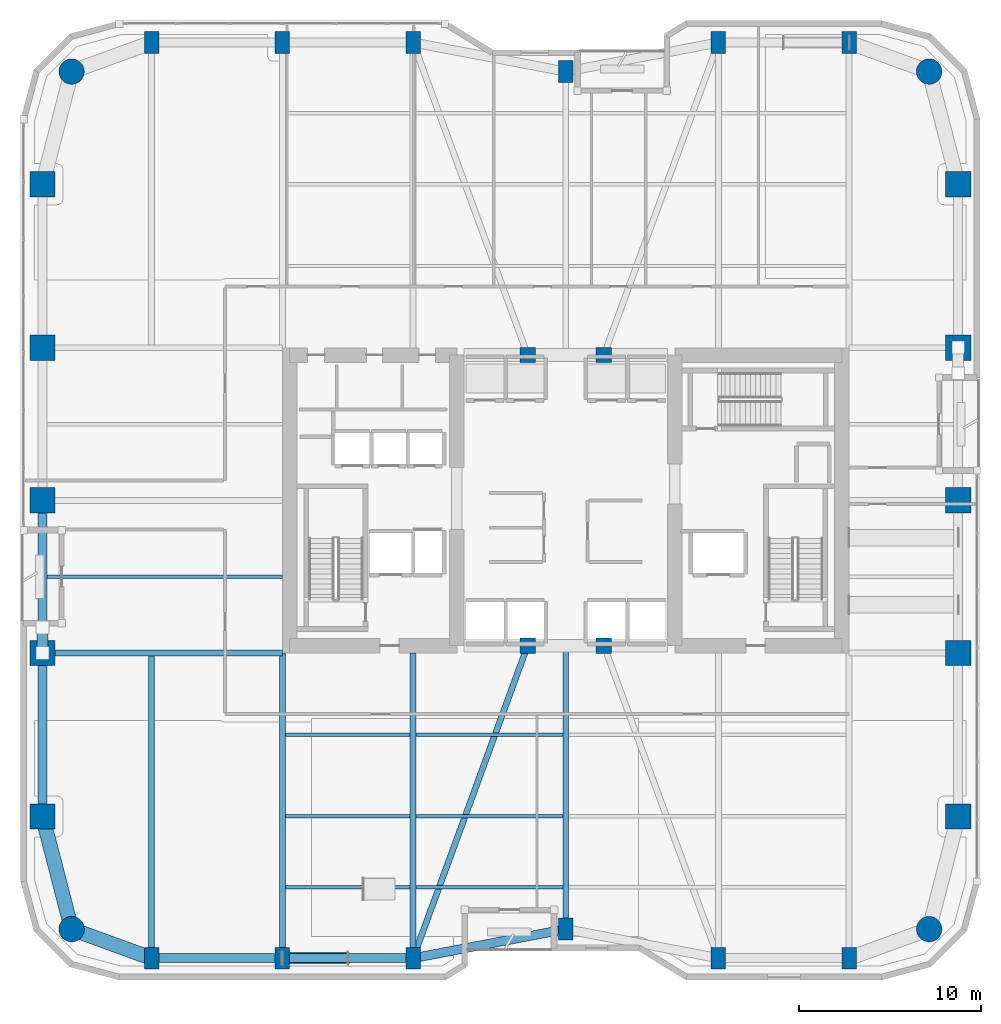
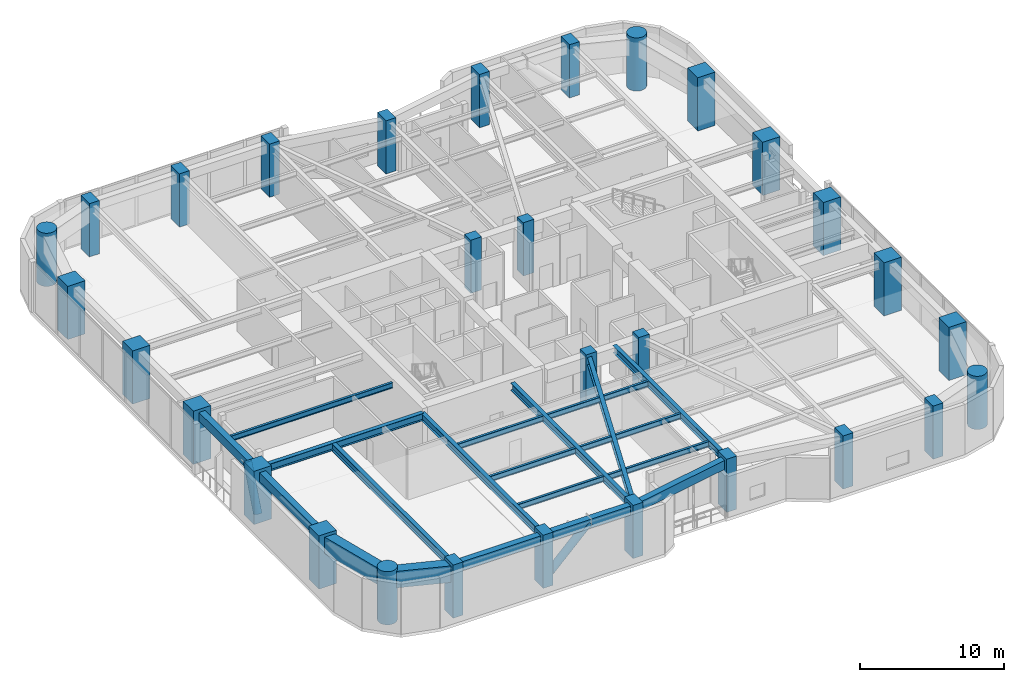
# One storey, part 1 of 23: 30 columns, 20 beams, 2 members.
"""IFC4 building model written with IfcOpenShell, lengths in metres."""

from ifc_helpers import new_model, si_unit, direction, frame, origin, origin_2d, place, context, subcontext, project, spatial, rectangle, circle, hollow_circle, i_section, extrude, material, material_profile, profile_set, type_object, element, save


model = new_model("IFC4")

# Units and contexts
model_context = context("Model", 3, precision=1e-05, world=origin(), true_north=direction((0.0, 1.0)))
body_context = subcontext(model_context, "Body", "Model", "MODEL_VIEW")
ifc_project = project(units=[si_unit("LENGTHUNIT", "METRE"), si_unit("AREAUNIT", "SQUARE_METRE"), si_unit("VOLUMEUNIT", "CUBIC_METRE"), si_unit("PLANEANGLEUNIT", "RADIAN"), si_unit("MASSUNIT", "GRAM", prefix="KILO")], contexts=[model_context])

# Site, building, storey
site_placement = place(None, origin())
site = spatial("IfcSite", under=ifc_project, at=site_placement, CompositionType="ELEMENT")
building_placement = place(site_placement, origin())
building = spatial("IfcBuilding", under=site, at=building_placement, Name="Kiyonajd Concourse Tower", CompositionType="ELEMENT")
storey_placement = place(building_placement, frame((0.0, 0.0, 120.89990234375)))
storey = spatial("IfcBuildingStorey", under=building, at=storey_placement, Name="L31", CompositionType="ELEMENT", Elevation=120.89990234375)

# Columns
ifc_material_1 = material(Name="Concrete C70/85", Category="concrete")
ifc_material_profile_1 = material_profile(ifc_material_1, rectangle(XDim=0.800048828125, YDim=1.199951171875, at=origin_2d()), Name="RC-1200x800")
ifc_profile_set_1 = profile_set([ifc_material_profile_1], Name="Concrete C70/85")
column_type_1 = type_object("IfcColumnType", Name="CL-BLADE-1200", PredefinedType="COLUMN", material=ifc_profile_set_1)
for number, where, z_axis, x_axis, name in (
    (1, (25.199951171875, 10.800048828125, 0.0), (0.0, 0.0, 1.0), (1.0, 0.0, 0.0), "L31 Perimeter Bundled Tube Column"),
    (2, (25.199951171875, 61.199951171875, 0.0), (0.0, 0.0, 1.0), (1.0, 0.0, 0.0), "L31 Perimeter Bundled Tube Column"),
    (3, (32.39990234375, 10.800048828125, 0.0), (0.0, 0.0, 1.0), (1.0, 0.0, 0.0), "L31 Perimeter Bundled Tube Column"),
    (4, (32.39990234375, 61.199951171875, 0.0), (0.0, 0.0, 1.0), (1.0, 0.0, 0.0), "L31 Perimeter Bundled Tube Column"),
    (5, (39.60009765625, 10.800048828125, 0.0), (0.0, 0.0, 1.0), (1.0, 0.0, 0.0), "L31 Perimeter Bundled Tube Column"),
    (6, (39.60009765625, 61.199951171875, 0.0), (0.0, 0.0, 1.0), (1.0, 0.0, 0.0), "L31 Perimeter Bundled Tube Column"),
    (7, (48.0, 12.39990234375, 0.0), (0.0, 0.0, 1.0), (1.0, 0.0, 0.0), "L31 Perimeter Bundled Tube Column"),
    (8, (48.0, 59.60009765625, 0.0), (0.0, 0.0, 1.0), (1.0, 0.0, 0.0), "L31 Perimeter Bundled Tube Column"),
    (9, (56.39990234375, 10.800048828125, 0.0), (0.0, 0.0, 1.0), (1.0, 0.0, 0.0), "L31 Perimeter Bundled Tube Column"),
    (10, (56.39990234375, 61.199951171875, 0.0), (0.0, 0.0, 1.0), (1.0, 0.0, 0.0), "L31 Perimeter Bundled Tube Column"),
    (11, (63.60009765625, 10.800048828125, 0.0), (0.0, 0.0, 1.0), (1.0, 0.0, 0.0), "L31 Perimeter Bundled Tube Column"),
    (12, (63.60009765625, 61.199951171875, 0.0), (0.0, 0.0, 1.0), (1.0, 0.0, 0.0), "L31 Perimeter Bundled Tube Column"),
):
    element("IfcColumn", number, at=place(storey_placement, frame(where, z_axis=z_axis, x_axis=x_axis)), inside=storey, type_object=column_type_1, Name=name, PredefinedType="COLUMN", context=body_context, shape_type="SweptSolid", body=[
        extrude(rectangle(XDim=0.800048828125, YDim=1.199951171875, at=origin_2d()), origin(), (0.0, 0.0, 1.0), 4.5),
    ])
ifc_material_2 = material(Name="Concrete C80/95", Category="concrete")
ifc_material_profile_2 = material_profile(ifc_material_2, circle(Radius=0.699951171875, at=origin_2d()), Name="RCC-D1400")
ifc_profile_set_2 = profile_set([ifc_material_profile_2], Name="Concrete C80/95")
column_type_2 = type_object("IfcColumnType", Name="CL-RND-1400", PredefinedType="COLUMN", material=ifc_profile_set_2)
for number, where, z_axis, x_axis, name in (
    (13, (20.800048828125, 12.39990234375, 0.0), (0.0, 0.0, 1.0), (1.0, 0.0, 0.0), "L31 Bundled Tube Corner Column South West"),
    (14, (68.0, 12.39990234375, 0.0), (0.0, 0.0, 1.0), (1.0, 0.0, 0.0), "L31 Bundled Tube Corner Column South East"),
    (15, (68.0, 59.60009765625, 0.0), (0.0, 0.0, 1.0), (1.0, 0.0, 0.0), "L31 Bundled Tube Corner Column North East"),
    (16, (20.800048828125, 59.60009765625, 0.0), (0.0, 0.0, 1.0), (1.0, 0.0, 0.0), "L31 Bundled Tube Corner Column North West"),
):
    element("IfcColumn", number, at=place(storey_placement, frame(where, z_axis=z_axis, x_axis=x_axis)), inside=storey, type_object=column_type_2, Name=name, PredefinedType="COLUMN", context=body_context, shape_type="SweptSolid", body=[
        extrude(circle(Radius=0.699951171875, at=origin_2d()), origin(), (0.0, 0.0, 1.0), 4.5),
    ])
ifc_material_profile_3 = material_profile(ifc_material_1, rectangle(XDim=1.39990234375, YDim=1.39990234375, at=origin_2d()), Name="RC-1400x1400")
ifc_profile_set_3 = profile_set([ifc_material_profile_3], Name="Concrete C70/85")
column_type_3 = type_object("IfcColumnType", Name="CL-TUBE-1400", PredefinedType="COLUMN", material=ifc_profile_set_3)
for number, where, z_axis, x_axis, name in (
    (17, (19.199951171875, 18.60009765625, 0.0), (0.0, 0.0, 1.0), (1.0, 0.0, 0.0), "L31 Perimeter Bundled Tube Column"),
    (18, (69.60009765625, 18.60009765625, 0.0), (0.0, 0.0, 1.0), (1.0, 0.0, 0.0), "L31 Perimeter Bundled Tube Column"),
    (19, (19.199951171875, 27.60009765625, 0.0), (0.0, 0.0, 1.0), (1.0, 0.0, 0.0), "L31 Perimeter Bundled Tube Column"),
    (20, (69.60009765625, 27.60009765625, 0.0), (0.0, 0.0, 1.0), (1.0, 0.0, 0.0), "L31 Perimeter Bundled Tube Column"),
    (21, (19.199951171875, 36.0, 0.0), (0.0, 0.0, 1.0), (1.0, 0.0, 0.0), "L31 Perimeter Bundled Tube Column"),
    (22, (69.60009765625, 36.0, 0.0), (0.0, 0.0, 1.0), (1.0, 0.0, 0.0), "L31 Perimeter Bundled Tube Column"),
    (23, (19.199951171875, 44.39990234375, 0.0), (0.0, 0.0, 1.0), (1.0, 0.0, 0.0), "L31 Perimeter Bundled Tube Column"),
    (24, (69.60009765625, 44.39990234375, 0.0), (0.0, 0.0, 1.0), (1.0, 0.0, 0.0), "L31 Perimeter Bundled Tube Column"),
    (25, (19.199951171875, 53.39990234375, 0.0), (0.0, 0.0, 1.0), (1.0, 0.0, 0.0), "L31 Perimeter Bundled Tube Column"),
    (26, (69.60009765625, 53.39990234375, 0.0), (0.0, 0.0, 1.0), (1.0, 0.0, 0.0), "L31 Perimeter Bundled Tube Column"),
):
    element("IfcColumn", number, at=place(storey_placement, frame(where, z_axis=z_axis, x_axis=x_axis)), inside=storey, type_object=column_type_3, Name=name, PredefinedType="COLUMN", context=body_context, shape_type="SweptSolid", body=[
        extrude(rectangle(XDim=1.39990234375, YDim=1.39990234375, at=origin_2d()), origin(), (0.0, 0.0, 1.0), 4.5),
    ])
ifc_material_3 = material(Name="Concrete C60/75", Category="concrete")
ifc_material_profile_4 = material_profile(ifc_material_3, rectangle(XDim=0.85009765625, YDim=0.85009765625, at=origin_2d()), Name="RC-850x850")
ifc_profile_set_4 = profile_set([ifc_material_profile_4], Name="Concrete C60/75")
column_type_4 = type_object("IfcColumnType", Name="CL-TUBE-850", PredefinedType="COLUMN", material=ifc_profile_set_4)
for number, where, z_axis, x_axis, name in (
    (27, (45.89990234375, 28.0, 0.0), (0.0, 0.0, 1.0), (1.0, 0.0, 0.0), "L31 Core Tie Column South West"),
    (28, (50.10009765625, 28.0, 0.0), (0.0, 0.0, 1.0), (1.0, 0.0, 0.0), "L31 Core Tie Column South East"),
    (29, (45.89990234375, 44.0, 0.0), (0.0, 0.0, 1.0), (1.0, 0.0, 0.0), "L31 Core Tie Column North West"),
    (30, (50.10009765625, 44.0, 0.0), (0.0, 0.0, 1.0), (1.0, 0.0, 0.0), "L31 Core Tie Column North East"),
):
    element("IfcColumn", number, at=place(storey_placement, frame(where, z_axis=z_axis, x_axis=x_axis)), inside=storey, type_object=column_type_4, Name=name, PredefinedType="COLUMN", context=body_context, shape_type="SweptSolid", body=[
        extrude(rectangle(XDim=0.85009765625, YDim=0.85009765625, at=origin_2d()), origin(), (0.0, 0.0, 1.0), 4.5),
    ])

# Beams
ifc_material_4 = material(Name="Steel ASTM A992 Grade 50", Category="steel")
ifc_material_profile_5 = material_profile(ifc_material_4, i_section(OverallWidth=0.19189453125, OverallDepth=0.462890625, WebThickness=0.010498046875, FlangeThickness=0.017578125, at=origin_2d()), Name="W460X89")
ifc_profile_set_5 = profile_set([ifc_material_profile_5], Name="Steel ASTM A992 Grade 50")
beam_type_1 = type_object("IfcBeamType", Name="BM-JST-460B", PredefinedType="JOIST", material=ifc_profile_set_5)
beam_1_placement = place(storey_placement, frame((32.5634765625, 14.699951171875, 4.008544921875), z_axis=(1.0, 0.0, 0.0), x_axis=(0.0, 1.0, 0.0)))
element("IfcBeam", 31, at=beam_1_placement, inside=storey, type_object=beam_type_1, Name="L31 Secondary Floor Joist", PredefinedType="JOIST", context=body_context, shape_type="SweptSolid", body=[
    extrude(i_section(OverallWidth=0.19189453125, OverallDepth=0.462890625, WebThickness=0.010498046875, FlangeThickness=0.017578125, at=origin_2d()), origin(), (0.0, 0.0, 1.0), 6.873046875),
])
beam_2_placement = place(storey_placement, frame((39.763427734375, 14.699951171875, 4.008544921875), z_axis=(1.0, 0.0, 0.0), x_axis=(0.0, 1.0, 0.0)))
element("IfcBeam", 32, at=beam_2_placement, inside=storey, type_object=beam_type_1, Name="L31 Secondary Floor Joist", PredefinedType="JOIST", context=body_context, shape_type="SweptSolid", body=[
    extrude(i_section(OverallWidth=0.19189453125, OverallDepth=0.462890625, WebThickness=0.010498046875, FlangeThickness=0.017578125, at=origin_2d()), origin(), (0.0, 0.0, 1.0), 8.072998046875),
])
beam_3_placement = place(storey_placement, frame((32.5634765625, 18.60009765625, 4.008544921875), z_axis=(1.0, 0.0, 0.0), x_axis=(0.0, 1.0, 0.0)))
element("IfcBeam", 33, at=beam_3_placement, inside=storey, type_object=beam_type_1, Name="L31 Secondary Floor Joist", PredefinedType="JOIST", context=body_context, shape_type="SweptSolid", body=[
    extrude(i_section(OverallWidth=0.19189453125, OverallDepth=0.462890625, WebThickness=0.010498046875, FlangeThickness=0.017578125, at=origin_2d()), origin(), (0.0, 0.0, 1.0), 6.873046875),
])
beam_4_placement = place(storey_placement, frame((39.763427734375, 18.60009765625, 4.008544921875), z_axis=(1.0, 0.0, 0.0), x_axis=(0.0, 1.0, 0.0)))
element("IfcBeam", 34, at=beam_4_placement, inside=storey, type_object=beam_type_1, Name="L31 Secondary Floor Joist", PredefinedType="JOIST", context=body_context, shape_type="SweptSolid", body=[
    extrude(i_section(OverallWidth=0.19189453125, OverallDepth=0.462890625, WebThickness=0.010498046875, FlangeThickness=0.017578125, at=origin_2d()), origin(), (0.0, 0.0, 1.0), 8.072998046875),
])
beam_5_placement = place(storey_placement, frame((32.5634765625, 23.10009765625, 4.008544921875), z_axis=(1.0, 0.0, 0.0), x_axis=(0.0, 1.0, 0.0)))
element("IfcBeam", 35, at=beam_5_placement, inside=storey, type_object=beam_type_1, Name="L31 Secondary Floor Joist", PredefinedType="JOIST", context=body_context, shape_type="SweptSolid", body=[
    extrude(i_section(OverallWidth=0.19189453125, OverallDepth=0.462890625, WebThickness=0.010498046875, FlangeThickness=0.017578125, at=origin_2d()), origin(), (0.0, 0.0, 1.0), 6.873046875),
])
beam_6_placement = place(storey_placement, frame((39.763427734375, 23.10009765625, 4.008544921875), z_axis=(1.0, 0.0, 0.0), x_axis=(0.0, 1.0, 0.0)))
element("IfcBeam", 36, at=beam_6_placement, inside=storey, type_object=beam_type_1, Name="L31 Secondary Floor Joist", PredefinedType="JOIST", context=body_context, shape_type="SweptSolid", body=[
    extrude(i_section(OverallWidth=0.19189453125, OverallDepth=0.462890625, WebThickness=0.010498046875, FlangeThickness=0.017578125, at=origin_2d()), origin(), (0.0, 0.0, 1.0), 8.072998046875),
])
beam_7_placement = place(storey_placement, frame((19.449951171875, 31.800048828125, 4.008544921875), z_axis=(1.0, 0.0, 0.0), x_axis=(0.0, 1.0, 0.0)))
element("IfcBeam", 37, at=beam_7_placement, inside=storey, type_object=beam_type_1, Name="L31 West Secondary Floor Joist", PredefinedType="JOIST", context=body_context, shape_type="SweptSolid", body=[
    extrude(i_section(OverallWidth=0.19189453125, OverallDepth=0.462890625, WebThickness=0.010498046875, FlangeThickness=0.017578125, at=origin_2d()), origin(), (0.0, 0.0, 1.0), 12.949951171875),
])
ifc_material_5 = material(Name="Precast concrete C50/60", Category="concrete")
ifc_material_profile_6 = material_profile(ifc_material_5, rectangle(XDim=0.5, YDim=0.75, at=origin_2d()), Name="RCBM-500x750")
ifc_profile_set_6 = profile_set([ifc_material_profile_6], Name="Precast concrete C50/60")
beam_type_2 = type_object("IfcBeamType", Name="BM-SPAN-RC", PredefinedType="SPANDREL", material=ifc_profile_set_6)
beam_8_placement = place(storey_placement, frame((19.199951171875, 27.60009765625, 3.864990234375), z_axis=(0.0, -1.0, 0.0), x_axis=(1.0, 0.0, 0.0)))
element("IfcBeam", 38, at=beam_8_placement, inside=storey, type_object=beam_type_2, Name="L31 Perimeter Bundled Tube Spandrel", PredefinedType="SPANDREL", context=body_context, shape_type="SweptSolid", body=[
    extrude(rectangle(XDim=0.5, YDim=0.75, at=origin_2d()), origin(), (0.0, 0.0, 1.0), 9.0),
])
beam_9_placement = place(storey_placement, frame((25.199951171875, 10.800048828125, 3.864990234375), z_axis=(1.0, 0.0, 0.0), x_axis=(0.0, 1.0, 0.0)))
element("IfcBeam", 39, at=beam_9_placement, inside=storey, type_object=beam_type_2, Name="L31 Perimeter Bundled Tube Spandrel", PredefinedType="SPANDREL", context=body_context, shape_type="SweptSolid", body=[
    extrude(rectangle(XDim=0.5, YDim=0.75, at=origin_2d()), origin(), (0.0, 0.0, 1.0), 7.199951171875),
])
beam_10_placement = place(storey_placement, frame((32.39990234375, 10.800048828125, 3.864990234375), z_axis=(1.0, 0.0, 0.0), x_axis=(0.0, 1.0, 0.0)))
element("IfcBeam", 40, at=beam_10_placement, inside=storey, type_object=beam_type_2, Name="L31 Perimeter Bundled Tube Spandrel", PredefinedType="SPANDREL", context=body_context, shape_type="SweptSolid", body=[
    extrude(rectangle(XDim=0.5, YDim=0.75, at=origin_2d()), origin(), (0.0, 0.0, 1.0), 7.2001953125),
])
beam_11_placement = place(storey_placement, frame((39.60009765625, 10.800048828125, 3.864990234375), z_axis=(0.982341315253, 0.187097675953, 0.0), x_axis=(-0.187097675953, 0.982341315253, 0.0)))
element("IfcBeam", 41, at=beam_11_placement, inside=storey, type_object=beam_type_2, Name="L31 Perimeter Bundled Tube Spandrel", PredefinedType="SPANDREL", context=body_context, shape_type="SweptSolid", body=[
    extrude(rectangle(XDim=0.5, YDim=0.75, at=origin_2d()), origin(), (0.0, 0.0, 1.0), 8.55078125),
])
beam_12_placement = place(storey_placement, frame((19.199951171875, 36.0, 3.864990234375), z_axis=(0.0, -1.0, 0.0), x_axis=(1.0, 0.0, 0.0)))
element("IfcBeam", 42, at=beam_12_placement, inside=storey, type_object=beam_type_2, Name="L31 Perimeter Bundled Tube Spandrel", PredefinedType="SPANDREL", context=body_context, shape_type="SweptSolid", body=[
    extrude(rectangle(XDim=0.5, YDim=0.75, at=origin_2d()), origin(), (0.0, 0.0, 1.0), 8.39990234375),
])
ifc_material_profile_7 = material_profile(ifc_material_4, i_section(OverallWidth=0.326904296875, OverallDepth=0.6220703125, WebThickness=0.015380859375, FlangeThickness=0.0244140625, at=origin_2d()), Name="W610X195")
ifc_profile_set_7 = profile_set([ifc_material_profile_7], Name="Steel ASTM A992 Grade 50")
beam_type_3 = type_object("IfcBeamType", Name="BM-TWR-610A", PredefinedType="BEAM", material=ifc_profile_set_7)
beam_13_placement = place(storey_placement, frame((39.60009765625, 10.800048828125, 3.92919921875), z_axis=(0.343925269715, 0.938997022813, 0.0), x_axis=(-0.938997022813, 0.343925269715, 0.0)))
element("IfcBeam", 43, at=beam_13_placement, inside=storey, type_object=beam_type_3, Name="L31 Core Tie Girder", PredefinedType="BEAM", context=body_context, shape_type="SweptSolid", body=[
    extrude(i_section(OverallWidth=0.326904296875, OverallDepth=0.6220703125, WebThickness=0.015380859375, FlangeThickness=0.0244140625, at=origin_2d()), origin(), (0.0, 0.0, 1.0), 18.3173828125),
])
for number, where, z_axis, x_axis, name in (
    (44, (25.199951171875, 10.800048828125, 3.92919921875), (0.0, 1.0, 0.0), (-1.0, 0.0, 0.0), "L31 South Lease Girder"),
    (45, (32.39990234375, 10.800048828125, 3.92919921875), (0.0, 1.0, 0.0), (-1.0, 0.0, 0.0), "L31 South Lease Girder"),
    (46, (39.60009765625, 10.800048828125, 3.92919921875), (0.0, 1.0, 0.0), (-1.0, 0.0, 0.0), "L31 South Lease Girder"),
):
    element("IfcBeam", number, at=place(storey_placement, frame(where, z_axis=z_axis, x_axis=x_axis)), inside=storey, type_object=beam_type_3, Name=name, PredefinedType="BEAM", context=body_context, shape_type="SweptSolid", body=[
        extrude(i_section(OverallWidth=0.326904296875, OverallDepth=0.6220703125, WebThickness=0.015380859375, FlangeThickness=0.0244140625, at=origin_2d()), origin(), (0.0, 0.0, 1.0), 16.800048828125),
    ])
beam_14_placement = place(storey_placement, frame((48.0, 12.39990234375, 3.92919921875), z_axis=(0.0, 1.0, 0.0), x_axis=(-1.0, 0.0, 0.0)))
element("IfcBeam", 47, at=beam_14_placement, inside=storey, type_object=beam_type_3, Name="L31 South Ribbon Girder", PredefinedType="BEAM", context=body_context, shape_type="SweptSolid", body=[
    extrude(i_section(OverallWidth=0.326904296875, OverallDepth=0.6220703125, WebThickness=0.015380859375, FlangeThickness=0.0244140625, at=origin_2d()), origin(), (0.0, 0.0, 1.0), 15.60009765625),
])
beam_15_placement = place(storey_placement, frame((19.199951171875, 27.60009765625, 3.92919921875), z_axis=(1.0, 0.0, 0.0), x_axis=(0.0, 1.0, 0.0)))
element("IfcBeam", 48, at=beam_15_placement, inside=storey, type_object=beam_type_3, Name="L31 West Lease Girder", PredefinedType="BEAM", context=body_context, shape_type="SweptSolid", body=[
    extrude(i_section(OverallWidth=0.326904296875, OverallDepth=0.6220703125, WebThickness=0.015380859375, FlangeThickness=0.0244140625, at=origin_2d()), origin(), (0.0, 0.0, 1.0), 13.199951171875),
])
ifc_material_profile_8 = material_profile(ifc_material_3, rectangle(XDim=0.800048828125, YDim=1.39990234375, at=origin_2d()), Name="RCBM-800x1400")
ifc_profile_set_8 = profile_set([ifc_material_profile_8], Name="Concrete C60/75")
beam_type_4 = type_object("IfcBeamType", Name="BM-XFER-RC", PredefinedType="BEAM", material=ifc_profile_set_8)
beam_16_placement = place(storey_placement, frame((19.199951171875, 18.60009765625, 3.5400390625), z_axis=(0.249884937687, -0.968275538221, 0.0), x_axis=(0.968275538221, 0.249884937687, 0.0)))
element("IfcBeam", 49, at=beam_16_placement, inside=storey, type_object=beam_type_4, Name="L31 Perimeter Bundled Tube Spandrel", PredefinedType="BEAM", context=body_context, shape_type="SweptSolid", body=[
    extrude(rectangle(XDim=0.800048828125, YDim=1.39990234375, at=origin_2d()), origin(), (0.0, 0.0, 1.0), 6.4033203125),
])
beam_17_placement = place(storey_placement, frame((20.800048828125, 12.39990234375, 3.5400390625), z_axis=(0.939801036019, -0.341722127901, 0.0), x_axis=(0.341722127901, 0.939801036019, 0.0)))
element("IfcBeam", 50, at=beam_17_placement, inside=storey, type_object=beam_type_4, Name="L31 Perimeter Bundled Tube Spandrel", PredefinedType="BEAM", context=body_context, shape_type="SweptSolid", body=[
    extrude(rectangle(XDim=0.800048828125, YDim=1.39990234375, at=origin_2d()), origin(), (0.0, 0.0, 1.0), 4.681640625),
])

# Members
ifc_material_6 = material(Name="Steel ASTM A572 Grade 50", Category="steel")
ifc_material_profile_9 = material_profile(ifc_material_6, hollow_circle(Radius=0.304931640625, WallThickness=0.02490234375, at=origin_2d()), Name="CHS-610x25")
ifc_profile_set_9 = profile_set([ifc_material_profile_9], Name="Steel ASTM A572 Grade 50")
member_type = type_object("IfcMemberType", Name="MB-PB-LOW", PredefinedType="BRACE", material=ifc_profile_set_9)
member_1_placement = place(storey_placement, frame((32.39990234375, 10.800048828125, 0.300048828125), z_axis=(0.708090488697, 0.0, 0.706121703261), x_axis=(0.0, 1.0, 0.0)))
element("IfcMember", 51, at=member_1_placement, inside=storey, type_object=member_type, Name="L31 Lower Zone Welded Tube Brace PBS", PredefinedType="BRACE", context=body_context, shape_type="SweptSolid", body=[
    extrude(hollow_circle(Radius=0.304931640625, WallThickness=0.02490234375, at=origin_2d()), origin(), (0.0, 0.0, 1.0), 5.084228515625),
])
member_2_placement = place(storey_placement, frame((19.199951171875, 27.60009765625, 0.300048828125), z_axis=(0.0, 0.363293032355, 0.931674928633), x_axis=(-1.0, 0.0, 0.0)))
element("IfcMember", 52, at=member_2_placement, inside=storey, type_object=member_type, Name="L31 Lower Zone Welded Tube Brace PBW", PredefinedType="BRACE", context=body_context, shape_type="SweptSolid", body=[
    extrude(hollow_circle(Radius=0.304931640625, WallThickness=0.02490234375, at=origin_2d()), origin(), (0.0, 0.0, 1.0), 3.853271484375),
])

save(model, "model.ifc")
